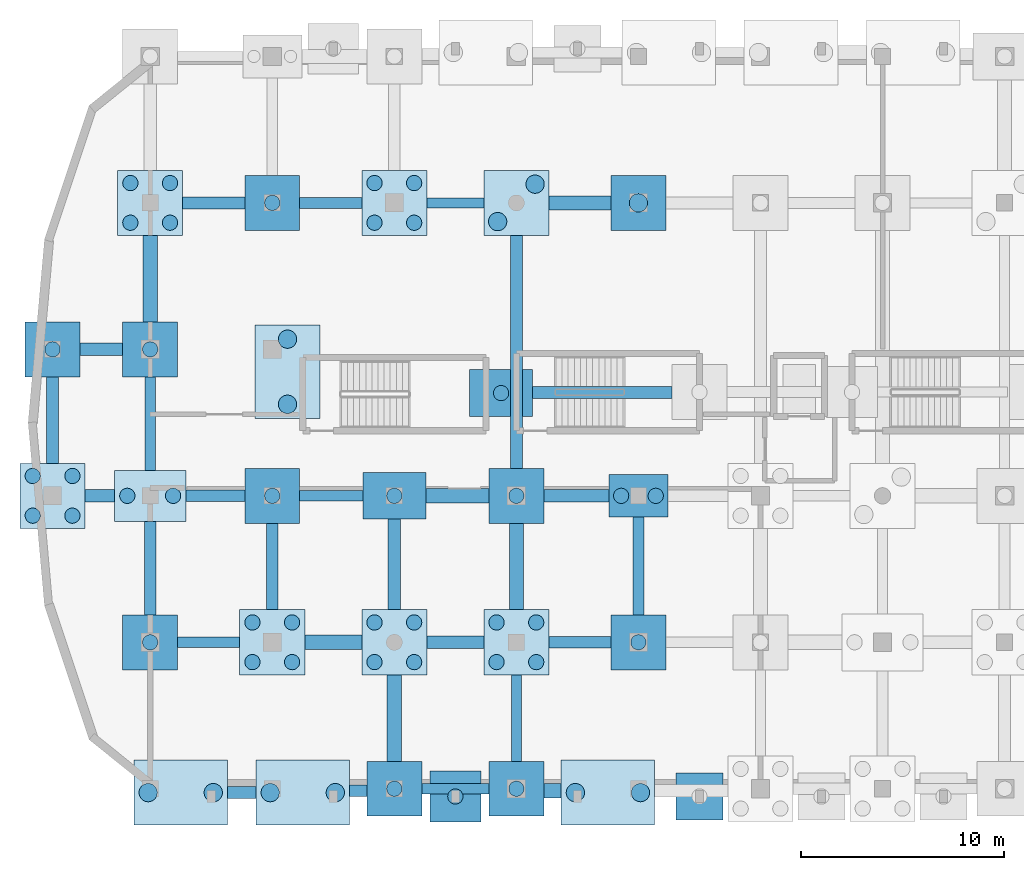
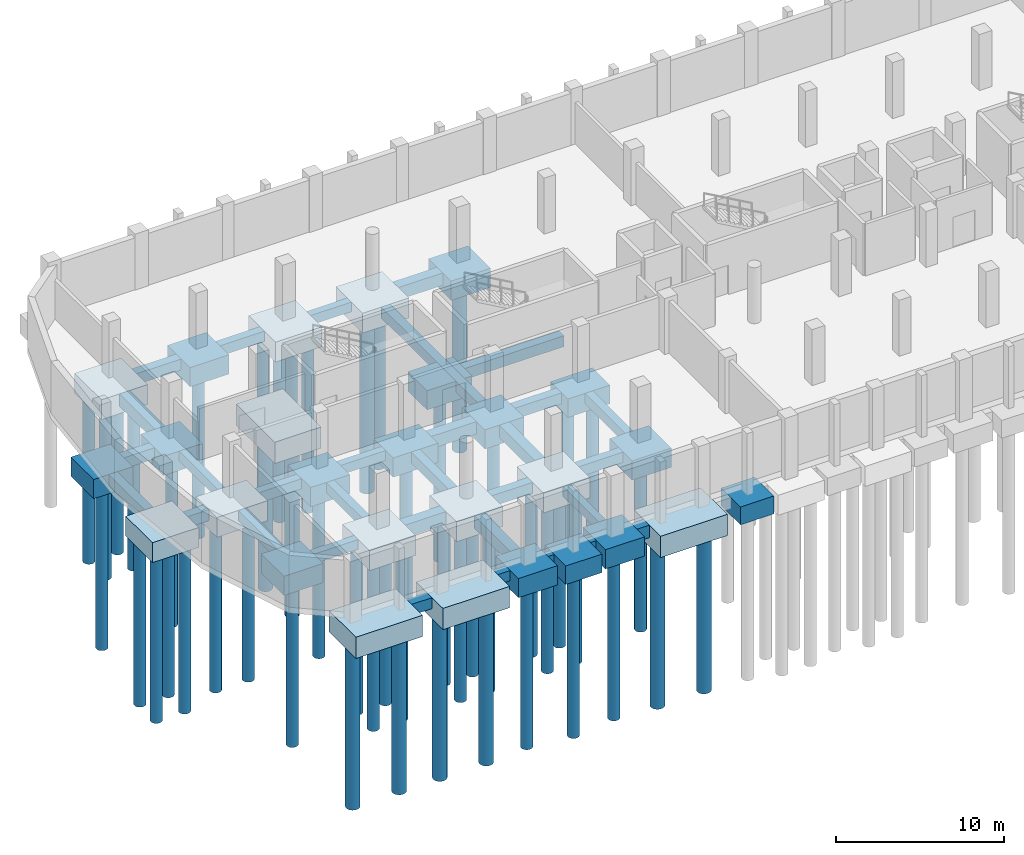
# One storey, part 1 of 11: 57 footings, 51 piles.
"""IFC4 building model written with IfcOpenShell, lengths in metres."""

from ifc_helpers import new_model, si_unit, direction, frame, origin, origin_2d, place, context, subcontext, project, spatial, rectangle, circle, extrude, material, material_profile, profile_set, type_object, element, save


model = new_model("IFC4")

# Units and contexts
model_context = context("Model", 3, precision=1e-05, world=origin(), true_north=direction((0.0, 1.0)))
body_context = subcontext(model_context, "Body", "Model", "MODEL_VIEW")
ifc_project = project(units=[si_unit("LENGTHUNIT", "METRE"), si_unit("AREAUNIT", "SQUARE_METRE"), si_unit("VOLUMEUNIT", "CUBIC_METRE"), si_unit("PLANEANGLEUNIT", "RADIAN"), si_unit("MASSUNIT", "GRAM", prefix="KILO")], contexts=[model_context])

# Site, building, storey
site_placement = place(None, origin())
site = spatial("IfcSite", under=ifc_project, at=site_placement, CompositionType="ELEMENT")
building_placement = place(site_placement, origin())
building = spatial("IfcBuilding", under=site, at=building_placement, Name="Dunvalen Ferry Terminal", CompositionType="ELEMENT")
storey_placement = place(building_placement, frame((0.0, 0.0, -4.080078125)))
storey = spatial("IfcBuildingStorey", under=building, at=storey_placement, Name="B1", CompositionType="ELEMENT", Elevation=-4.080078125)

# Footings
ifc_material = material(Name="Concrete C40/50", Category="concrete")
ifc_material_profile_1 = material_profile(ifc_material, rectangle(XDim=0.5, YDim=0.699951171875, at=origin_2d()), Name="Concrete C40/50")
ifc_profile_set_1 = profile_set([ifc_material_profile_1], Name="Concrete C40/50")
footing_type_1 = type_object("IfcFootingType", Name="STR-GB-500x700", PredefinedType="FOOTING_BEAM", material=ifc_profile_set_1)
footing_1_placement = place(storey_placement, frame((19.35009765625, 0.0, -0.77001953125), z_axis=(1.0, 0.0, 0.0), x_axis=(0.0, 1.0, 0.0)))
element("IfcFooting", 1, at=footing_1_placement, inside=storey, type_object=footing_type_1, Name="B1 Ground Beam X-003", PredefinedType="FOOTING_BEAM", context=body_context, shape_type="SweptSolid", body=[
    extrude(rectangle(XDim=0.5, YDim=0.699951171875, at=origin_2d()), origin(), (0.0, 0.0, 1.0), 3.2998046875),
])
footing_2_placement = place(storey_placement, frame((7.35009765625, 7.199951171875, -0.77001953125), z_axis=(1.0, 0.0, 0.0), x_axis=(0.0, 1.0, 0.0)))
element("IfcFooting", 2, at=footing_2_placement, inside=storey, type_object=footing_type_1, Name="B1 Ground Beam X-015", PredefinedType="FOOTING_BEAM", context=body_context, shape_type="SweptSolid", body=[
    extrude(rectangle(XDim=0.5, YDim=0.699951171875, at=origin_2d()), origin(), (0.0, 0.0, 1.0), 3.0498046875),
])
footing_3_placement = place(storey_placement, frame((13.35009765625, 14.39990234375, -0.77001953125), z_axis=(1.0, 0.0, 0.0), x_axis=(0.0, 1.0, 0.0)))
element("IfcFooting", 3, at=footing_3_placement, inside=storey, type_object=footing_type_1, Name="B1 Ground Beam X-031", PredefinedType="FOOTING_BEAM", context=body_context, shape_type="SweptSolid", body=[
    extrude(rectangle(XDim=0.5, YDim=0.699951171875, at=origin_2d()), origin(), (0.0, 0.0, 1.0), 3.099853515625),
])
footing_4_placement = place(storey_placement, frame((19.60009765625, 28.800048828125, -0.77001953125), z_axis=(1.0, 0.0, 0.0), x_axis=(0.0, 1.0, 0.0)))
element("IfcFooting", 4, at=footing_4_placement, inside=storey, type_object=footing_type_1, Name="B1 Ground Beam X-055", PredefinedType="FOOTING_BEAM", context=body_context, shape_type="SweptSolid", body=[
    extrude(rectangle(XDim=0.5, YDim=0.699951171875, at=origin_2d()), origin(), (0.0, 0.0, 1.0), 2.7998046875),
])
footing_5_placement = place(storey_placement, frame((6.0, 15.64990234375, -0.77001953125), z_axis=(0.0, 1.0, 0.0), x_axis=(-1.0, 0.0, 0.0)))
element("IfcFooting", 5, at=footing_5_placement, inside=storey, type_object=footing_type_1, Name="B1 Ground Beam Y-083", PredefinedType="FOOTING_BEAM", context=body_context, shape_type="SweptSolid", body=[
    extrude(rectangle(XDim=0.5, YDim=0.699951171875, at=origin_2d()), origin(), (0.0, 0.0, 1.0), 4.60009765625),
])
footing_6_placement = place(storey_placement, frame((24.0, 1.35009765625, -0.77001953125), z_axis=(0.0, 1.0, 0.0), x_axis=(-1.0, 0.0, 0.0)))
element("IfcFooting", 6, at=footing_6_placement, inside=storey, type_object=footing_type_1, Name="B1 Ground Beam Y-091", PredefinedType="FOOTING_BEAM", context=body_context, shape_type="SweptSolid", body=[
    extrude(rectangle(XDim=0.5, YDim=0.699951171875, at=origin_2d()), origin(), (0.0, 0.0, 1.0), 4.25),
])
ifc_material_profile_2 = material_profile(ifc_material, rectangle(XDim=0.550048828125, YDim=0.75, at=origin_2d()), Name="Concrete C40/50")
ifc_profile_set_2 = profile_set([ifc_material_profile_2], Name="Concrete C40/50")
footing_type_2 = type_object("IfcFootingType", Name="STR-GB-550x750", PredefinedType="FOOTING_BEAM", material=ifc_profile_set_2)
footing_7_placement = place(storey_placement, frame((15.800048828125, -0.094970703125, -0.794921875), z_axis=(1.0, 0.0, 0.0), x_axis=(0.0, 1.0, 0.0)))
element("IfcFooting", 7, at=footing_7_placement, inside=storey, type_object=footing_type_2, Name="B1 Ground Beam X-002", PredefinedType="FOOTING_BEAM", context=body_context, shape_type="SweptSolid", body=[
    extrude(rectangle(XDim=0.550048828125, YDim=0.75, at=origin_2d()), origin(), (0.0, 0.0, 1.0), 0.849853515625),
])
footing_8_placement = place(storey_placement, frame((25.60009765625, 7.199951171875, -0.794921875), z_axis=(1.0, 0.0, 0.0), x_axis=(0.0, 1.0, 0.0)))
element("IfcFooting", 8, at=footing_8_placement, inside=storey, type_object=footing_type_2, Name="B1 Ground Beam X-018", PredefinedType="FOOTING_BEAM", context=body_context, shape_type="SweptSolid", body=[
    extrude(rectangle(XDim=0.550048828125, YDim=0.75, at=origin_2d()), origin(), (0.0, 0.0, 1.0), 3.0498046875),
])
footing_9_placement = place(storey_placement, frame((7.75, 14.39990234375, -0.794921875), z_axis=(1.0, 0.0, 0.0), x_axis=(0.0, 1.0, 0.0)))
element("IfcFooting", 9, at=footing_9_placement, inside=storey, type_object=footing_type_2, Name="B1 Ground Beam X-030", PredefinedType="FOOTING_BEAM", context=body_context, shape_type="SweptSolid", body=[
    extrude(rectangle(XDim=0.550048828125, YDim=0.75, at=origin_2d()), origin(), (0.0, 0.0, 1.0), 2.89990234375),
])
footing_10_placement = place(storey_placement, frame((13.35009765625, 28.800048828125, -0.794921875), z_axis=(1.0, 0.0, 0.0), x_axis=(0.0, 1.0, 0.0)))
element("IfcFooting", 10, at=footing_10_placement, inside=storey, type_object=footing_type_2, Name="B1 Ground Beam X-054", PredefinedType="FOOTING_BEAM", context=body_context, shape_type="SweptSolid", body=[
    extrude(rectangle(XDim=0.550048828125, YDim=0.75, at=origin_2d()), origin(), (0.0, 0.0, 1.0), 3.0498046875),
])
footing_11_placement = place(storey_placement, frame((6.0, 8.550048828125, -0.794921875), z_axis=(0.0, 1.0, 0.0), x_axis=(-1.0, 0.0, 0.0)))
element("IfcFooting", 11, at=footing_11_placement, inside=storey, type_object=footing_type_2, Name="B1 Ground Beam Y-082", PredefinedType="FOOTING_BEAM", context=body_context, shape_type="SweptSolid", body=[
    extrude(rectangle(XDim=0.550048828125, YDim=0.75, at=origin_2d()), origin(), (0.0, 0.0, 1.0), 4.599853515625),
])
footing_12_placement = place(storey_placement, frame((12.0, 8.800048828125, -0.794921875), z_axis=(0.0, 1.0, 0.0), x_axis=(-1.0, 0.0, 0.0)))
element("IfcFooting", 12, at=footing_12_placement, inside=storey, type_object=footing_type_2, Name="B1 Ground Beam Y-086", PredefinedType="FOOTING_BEAM", context=body_context, shape_type="SweptSolid", body=[
    extrude(rectangle(XDim=0.550048828125, YDim=0.75, at=origin_2d()), origin(), (0.0, 0.0, 1.0), 4.25),
])
footing_13_placement = place(storey_placement, frame((30.0, 8.550048828125, -0.794921875), z_axis=(0.0, 1.0, 0.0), x_axis=(-1.0, 0.0, 0.0)))
element("IfcFooting", 13, at=footing_13_placement, inside=storey, type_object=footing_type_2, Name="B1 Ground Beam Y-094", PredefinedType="FOOTING_BEAM", context=body_context, shape_type="SweptSolid", body=[
    extrude(rectangle(XDim=0.550048828125, YDim=0.75, at=origin_2d()), origin(), (0.0, 0.0, 1.0), 4.800048828125),
])
ifc_material_profile_3 = material_profile(ifc_material, rectangle(XDim=0.60009765625, YDim=0.800048828125, at=origin_2d()), Name="Concrete C40/50")
ifc_profile_set_3 = profile_set([ifc_material_profile_3], Name="Concrete C40/50")
footing_type_3 = type_object("IfcFootingType", Name="STR-GB-600x800", PredefinedType="FOOTING_BEAM", material=ifc_profile_set_3)
footing_14_placement = place(storey_placement, frame((9.800048828125, -0.18994140625, -0.81982421875), z_axis=(1.0, 0.0, 0.0), x_axis=(0.0, 1.0, 0.0)))
element("IfcFooting", 14, at=footing_14_placement, inside=storey, type_object=footing_type_3, Name="B1 Ground Beam X-001", PredefinedType="FOOTING_BEAM", context=body_context, shape_type="SweptSolid", body=[
    extrude(rectangle(XDim=0.60009765625, YDim=0.800048828125, at=origin_2d()), origin(), (0.0, 0.0, 1.0), 1.39990234375),
])
footing_15_placement = place(storey_placement, frame((19.60009765625, 7.199951171875, -0.81982421875), z_axis=(1.0, 0.0, 0.0), x_axis=(0.0, 1.0, 0.0)))
element("IfcFooting", 15, at=footing_15_placement, inside=storey, type_object=footing_type_3, Name="B1 Ground Beam X-017", PredefinedType="FOOTING_BEAM", context=body_context, shape_type="SweptSolid", body=[
    extrude(rectangle(XDim=0.60009765625, YDim=0.800048828125, at=origin_2d()), origin(), (0.0, 0.0, 1.0), 2.7998046875),
])
footing_16_placement = place(storey_placement, frame((2.800048828125, 14.39990234375, -0.81982421875), z_axis=(1.0, 0.0, 0.0), x_axis=(0.0, 1.0, 0.0)))
element("IfcFooting", 16, at=footing_16_placement, inside=storey, type_object=footing_type_3, Name="B1 Ground Beam X-029", PredefinedType="FOOTING_BEAM", context=body_context, shape_type="SweptSolid", body=[
    extrude(rectangle(XDim=0.60009765625, YDim=0.800048828125, at=origin_2d()), origin(), (0.0, 0.0, 1.0), 1.449951171875),
])
footing_17_placement = place(storey_placement, frame((25.35009765625, 14.39990234375, -0.81982421875), z_axis=(1.0, 0.0, 0.0), x_axis=(0.0, 1.0, 0.0)))
element("IfcFooting", 17, at=footing_17_placement, inside=storey, type_object=footing_type_3, Name="B1 Ground Beam X-033", PredefinedType="FOOTING_BEAM", context=body_context, shape_type="SweptSolid", body=[
    extrude(rectangle(XDim=0.60009765625, YDim=0.800048828125, at=origin_2d()), origin(), (0.0, 0.0, 1.0), 3.199951171875),
])
footing_18_placement = place(storey_placement, frame((24.800048828125, 19.47509765625, -0.81982421875), z_axis=(1.0, 0.0, 0.0), x_axis=(0.0, 1.0, 0.0)))
element("IfcFooting", 18, at=footing_18_placement, inside=storey, type_object=footing_type_3, Name="B1 Ground Beam X-045", PredefinedType="FOOTING_BEAM", context=body_context, shape_type="SweptSolid", body=[
    extrude(rectangle(XDim=0.60009765625, YDim=0.800048828125, at=origin_2d()), origin(), (0.0, 0.0, 1.0), 6.849853515625),
])
footing_19_placement = place(storey_placement, frame((2.550048828125, 21.60009765625, -0.81982421875), z_axis=(1.0, 0.0, 0.0), x_axis=(0.0, 1.0, 0.0)))
element("IfcFooting", 19, at=footing_19_placement, inside=storey, type_object=footing_type_3, Name="B1 Ground Beam X-049", PredefinedType="FOOTING_BEAM", context=body_context, shape_type="SweptSolid", body=[
    extrude(rectangle(XDim=0.60009765625, YDim=0.800048828125, at=origin_2d()), origin(), (0.0, 0.0, 1.0), 2.099853515625),
])
footing_20_placement = place(storey_placement, frame((7.60009765625, 28.800048828125, -0.81982421875), z_axis=(1.0, 0.0, 0.0), x_axis=(0.0, 1.0, 0.0)))
element("IfcFooting", 20, at=footing_20_placement, inside=storey, type_object=footing_type_3, Name="B1 Ground Beam X-053", PredefinedType="FOOTING_BEAM", context=body_context, shape_type="SweptSolid", body=[
    extrude(rectangle(XDim=0.60009765625, YDim=0.800048828125, at=origin_2d()), origin(), (0.0, 0.0, 1.0), 3.0498046875),
])
footing_21_placement = place(storey_placement, frame((1.199951171875, 16.0, -0.81982421875), z_axis=(0.0, 1.0, 0.0), x_axis=(-1.0, 0.0, 0.0)))
element("IfcFooting", 21, at=footing_21_placement, inside=storey, type_object=footing_type_3, Name="B1 Ground Beam Y-081", PredefinedType="FOOTING_BEAM", context=body_context, shape_type="SweptSolid", body=[
    extrude(rectangle(XDim=0.60009765625, YDim=0.800048828125, at=origin_2d()), origin(), (0.0, 0.0, 1.0), 4.25),
])
footing_22_placement = place(storey_placement, frame((18.0, 8.800048828125, -0.81982421875), z_axis=(0.0, 1.0, 0.0), x_axis=(-1.0, 0.0, 0.0)))
element("IfcFooting", 22, at=footing_22_placement, inside=storey, type_object=footing_type_3, Name="B1 Ground Beam Y-089", PredefinedType="FOOTING_BEAM", context=body_context, shape_type="SweptSolid", body=[
    extrude(rectangle(XDim=0.60009765625, YDim=0.800048828125, at=origin_2d()), origin(), (0.0, 0.0, 1.0), 4.449951171875),
])
footing_23_placement = place(storey_placement, frame((24.0, 15.75, -0.81982421875), z_axis=(0.0, 1.0, 0.0), x_axis=(-1.0, 0.0, 0.0)))
element("IfcFooting", 23, at=footing_23_placement, inside=storey, type_object=footing_type_3, Name="B1 Ground Beam Y-093", PredefinedType="FOOTING_BEAM", context=body_context, shape_type="SweptSolid", body=[
    extrude(rectangle(XDim=0.60009765625, YDim=0.800048828125, at=origin_2d()), origin(), (0.0, 0.0, 1.0), 11.449951171875),
])
ifc_material_profile_4 = material_profile(ifc_material, rectangle(XDim=0.699951171875, YDim=0.89990234375, at=origin_2d()), Name="Concrete C40/50")
ifc_profile_set_4 = profile_set([ifc_material_profile_4], Name="Concrete C40/50")
footing_type_4 = type_object("IfcFootingType", Name="STR-GB-700x900", PredefinedType="FOOTING_BEAM", material=ifc_profile_set_4)
footing_24_placement = place(storey_placement, frame((25.35009765625, -0.094970703125, -0.869873046875), z_axis=(1.0, 0.0, 0.0), x_axis=(0.0, 1.0, 0.0)))
element("IfcFooting", 24, at=footing_24_placement, inside=storey, type_object=footing_type_4, Name="B1 Ground Beam X-004", PredefinedType="FOOTING_BEAM", context=body_context, shape_type="SweptSolid", body=[
    extrude(rectangle(XDim=0.699951171875, YDim=0.89990234375, at=origin_2d()), origin(), (0.0, 0.0, 1.0), 0.849853515625),
])
footing_25_placement = place(storey_placement, frame((13.60009765625, 7.199951171875, -0.869873046875), z_axis=(1.0, 0.0, 0.0), x_axis=(0.0, 1.0, 0.0)))
element("IfcFooting", 25, at=footing_25_placement, inside=storey, type_object=footing_type_4, Name="B1 Ground Beam X-016", PredefinedType="FOOTING_BEAM", context=body_context, shape_type="SweptSolid", body=[
    extrude(rectangle(XDim=0.699951171875, YDim=0.89990234375, at=origin_2d()), origin(), (0.0, 0.0, 1.0), 2.7998046875),
])
footing_26_placement = place(storey_placement, frame((19.550048828125, 14.39990234375, -0.869873046875), z_axis=(1.0, 0.0, 0.0), x_axis=(0.0, 1.0, 0.0)))
element("IfcFooting", 26, at=footing_26_placement, inside=storey, type_object=footing_type_4, Name="B1 Ground Beam X-032", PredefinedType="FOOTING_BEAM", context=body_context, shape_type="SweptSolid", body=[
    extrude(rectangle(XDim=0.699951171875, YDim=0.89990234375, at=origin_2d()), origin(), (0.0, 0.0, 1.0), 3.099853515625),
])
footing_27_placement = place(storey_placement, frame((25.60009765625, 28.800048828125, -0.869873046875), z_axis=(1.0, 0.0, 0.0), x_axis=(0.0, 1.0, 0.0)))
element("IfcFooting", 27, at=footing_27_placement, inside=storey, type_object=footing_type_4, Name="B1 Ground Beam X-056", PredefinedType="FOOTING_BEAM", context=body_context, shape_type="SweptSolid", body=[
    extrude(rectangle(XDim=0.699951171875, YDim=0.89990234375, at=origin_2d()), origin(), (0.0, 0.0, 1.0), 3.0498046875),
])
for number, where, z_axis, x_axis, name in (
    (28, (6.0, 22.949951171875, -0.869873046875), (0.0, 1.0, 0.0), (-1.0, 0.0, 0.0), "B1 Ground Beam Y-084"),
    (29, (18.0, 1.35009765625, -0.869873046875), (0.0, 1.0, 0.0), (-1.0, 0.0, 0.0), "B1 Ground Beam Y-088"),
    (30, (24.0, 8.800048828125, -0.869873046875), (0.0, 1.0, 0.0), (-1.0, 0.0, 0.0), "B1 Ground Beam Y-092"),
):
    element("IfcFooting", number, at=place(storey_placement, frame(where, z_axis=z_axis, x_axis=x_axis)), inside=storey, type_object=footing_type_4, Name=name, PredefinedType="FOOTING_BEAM", context=body_context, shape_type="SweptSolid", body=[
        extrude(rectangle(XDim=0.699951171875, YDim=0.89990234375, at=origin_2d()), origin(), (0.0, 0.0, 1.0), 4.25),
    ])
footing_type_5 = type_object("IfcFootingType", Name="STR-PC-04", PredefinedType="PILE_CAP", material=ifc_material)
footing_28_placement = place(storey_placement, frame((33.0, -0.3798828125, -1.7197265625), z_axis=(0.0, 0.0, 1.0), x_axis=(1.0, 0.0, 0.0)))
element("IfcFooting", 31, at=footing_28_placement, inside=storey, type_object=footing_type_5, Name="B1 Pile Cap 034", PredefinedType="PILE_CAP", context=body_context, shape_type="SweptSolid", body=[
    extrude(rectangle(XDim=2.300048828125, YDim=2.300048828125, at=origin_2d()), origin(), (0.0, 0.0, 1.0), 1.300048828125),
])
footing_type_6 = type_object("IfcFootingType", Name="STR-PC-05", PredefinedType="PILE_CAP", material=ifc_material)
footing_29_placement = place(storey_placement, frame((21.0, -0.3798828125, -1.77001953125), z_axis=(0.0, 0.0, 1.0), x_axis=(1.0, 0.0, 0.0)))
element("IfcFooting", 32, at=footing_29_placement, inside=storey, type_object=footing_type_6, Name="B1 Pile Cap 021", PredefinedType="PILE_CAP", context=body_context, shape_type="SweptSolid", body=[
    extrude(rectangle(XDim=2.5, YDim=2.5, at=origin_2d()), origin(), (0.0, 0.0, 1.0), 1.35009765625),
])
footing_type_7 = type_object("IfcFootingType", Name="STR-PC-06", PredefinedType="PILE_CAP", material=ifc_material)
for number, where, z_axis, x_axis, name in (
    (33, (1.199951171875, 21.60009765625, -1.81982421875), (0.0, 0.0, 1.0), (1.0, 0.0, 0.0), "B1 Pile Cap 002"),
    (34, (6.0, 7.199951171875, -1.81982421875), (0.0, 0.0, 1.0), (1.0, 0.0, 0.0), "B1 Pile Cap 004"),
    (35, (6.0, 21.60009765625, -1.81982421875), (0.0, 0.0, 1.0), (1.0, 0.0, 0.0), "B1 Pile Cap 006"),
    (36, (12.0, 14.39990234375, -1.81982421875), (0.0, 0.0, 1.0), (1.0, 0.0, 0.0), "B1 Pile Cap 011"),
    (37, (12.0, 28.800048828125, -1.81982421875), (0.0, 0.0, 1.0), (1.0, 0.0, 0.0), "B1 Pile Cap 013"),
    (38, (18.0, 0.0, -1.81982421875), (0.0, 0.0, 1.0), (1.0, 0.0, 0.0), "B1 Pile Cap 016"),
    (39, (24.0, 0.0, -1.81982421875), (0.0, 0.0, 1.0), (1.0, 0.0, 0.0), "B1 Pile Cap 024"),
    (40, (24.0, 14.39990234375, -1.81982421875), (0.0, 0.0, 1.0), (1.0, 0.0, 0.0), "B1 Pile Cap 026"),
    (41, (30.0, 7.199951171875, -1.81982421875), (0.0, 0.0, 1.0), (1.0, 0.0, 0.0), "B1 Pile Cap 030"),
    (42, (30.0, 28.800048828125, -1.81982421875), (0.0, 0.0, 1.0), (1.0, 0.0, 0.0), "B1 Pile Cap 032"),
):
    element("IfcFooting", number, at=place(storey_placement, frame(where, z_axis=z_axis, x_axis=x_axis)), inside=storey, type_object=footing_type_7, Name=name, PredefinedType="PILE_CAP", context=body_context, shape_type="SweptSolid", body=[
        extrude(rectangle(XDim=2.699951171875, YDim=2.699951171875, at=origin_2d()), origin(), (0.0, 0.0, 1.0), 1.39990234375),
    ])
footing_type_8 = type_object("IfcFootingType", Name="STR-PC-07", PredefinedType="PILE_CAP", material=ifc_material)
footing_30_placement = place(storey_placement, frame((30.0, 14.39990234375, -1.77001953125), z_axis=(0.0, 0.0, 1.0), x_axis=(1.0, 0.0, 0.0)))
element("IfcFooting", 43, at=footing_30_placement, inside=storey, type_object=footing_type_8, Name="B1 Pile Cap 031", PredefinedType="PILE_CAP", context=body_context, shape_type="SweptSolid", body=[
    extrude(rectangle(XDim=2.89990234375, YDim=2.10009765625, at=origin_2d()), origin(), (0.0, 0.0, 1.0), 1.35009765625),
])
footing_type_9 = type_object("IfcFootingType", Name="STR-PC-08", PredefinedType="PILE_CAP", material=ifc_material)
for number, where, z_axis, x_axis, name in (
    (44, (18.0, 14.39990234375, -1.81982421875), (0.0, 0.0, 1.0), (1.0, 0.0, 0.0), "B1 Pile Cap 018"),
    (45, (23.25, 19.449951171875, -1.81982421875), (0.0, 0.0, 1.0), (1.0, 0.0, 0.0), "B1 Pile Cap 023"),
):
    element("IfcFooting", number, at=place(storey_placement, frame(where, z_axis=z_axis, x_axis=x_axis)), inside=storey, type_object=footing_type_9, Name=name, PredefinedType="PILE_CAP", context=body_context, shape_type="SweptSolid", body=[
        extrude(rectangle(XDim=3.10009765625, YDim=2.300048828125, at=origin_2d()), origin(), (0.0, 0.0, 1.0), 1.39990234375),
    ])
footing_type_10 = type_object("IfcFootingType", Name="STR-PC-09", PredefinedType="PILE_CAP", material=ifc_material)
for number, where, z_axis, x_axis, name in (
    (46, (1.199951171875, 14.39990234375, -1.8701171875), (0.0, 0.0, 1.0), (1.0, 0.0, 0.0), "B1 Pile Cap 001"),
    (47, (6.0, 28.800048828125, -1.8701171875), (0.0, 0.0, 1.0), (1.0, 0.0, 0.0), "B1 Pile Cap 007"),
    (48, (12.0, 7.199951171875, -1.8701171875), (0.0, 0.0, 1.0), (1.0, 0.0, 0.0), "B1 Pile Cap 010"),
    (49, (18.0, 7.199951171875, -1.8701171875), (0.0, 0.0, 1.0), (1.0, 0.0, 0.0), "B1 Pile Cap 017"),
    (50, (18.0, 28.800048828125, -1.8701171875), (0.0, 0.0, 1.0), (1.0, 0.0, 0.0), "B1 Pile Cap 019"),
    (51, (24.0, 7.199951171875, -1.8701171875), (0.0, 0.0, 1.0), (1.0, 0.0, 0.0), "B1 Pile Cap 025"),
    (52, (24.0, 28.800048828125, -1.8701171875), (0.0, 0.0, 1.0), (1.0, 0.0, 0.0), "B1 Pile Cap 027"),
):
    element("IfcFooting", number, at=place(storey_placement, frame(where, z_axis=z_axis, x_axis=x_axis)), inside=storey, type_object=footing_type_10, Name=name, PredefinedType="PILE_CAP", context=body_context, shape_type="SweptSolid", body=[
        extrude(rectangle(XDim=3.199951171875, YDim=3.199951171875, at=origin_2d()), origin(), (0.0, 0.0, 1.0), 1.449951171875),
    ])
footing_type_11 = type_object("IfcFootingType", Name="STR-PC-10", PredefinedType="PILE_CAP", material=ifc_material)
footing_31_placement = place(storey_placement, frame((6.0, 14.39990234375, -1.8701171875), z_axis=(0.0, 0.0, 1.0), x_axis=(1.0, 0.0, 0.0)))
element("IfcFooting", 53, at=footing_31_placement, inside=storey, type_object=footing_type_11, Name="B1 Pile Cap 005", PredefinedType="PILE_CAP", context=body_context, shape_type="SweptSolid", body=[
    extrude(rectangle(XDim=3.5, YDim=2.5, at=origin_2d()), origin(), (0.0, 0.0, 1.0), 1.449951171875),
])
footing_type_12 = type_object("IfcFootingType", Name="STR-PC-14", PredefinedType="PILE_CAP", material=ifc_material)
for number, where, z_axis, x_axis, name in (
    (54, (7.5, -0.18994140625, -1.9697265625), (0.0, 0.0, 1.0), (1.0, 0.0, 0.0), "B1 Pile Cap 003"),
    (55, (13.5, -0.18994140625, -1.9697265625), (0.0, 0.0, 1.0), (1.0, 0.0, 0.0), "B1 Pile Cap 009"),
    (56, (12.75, 20.5, -1.9697265625), (0.0, 0.0, 1.0), (0.0, 1.0, 0.0), "B1 Pile Cap 012"),
    (57, (28.5, -0.18994140625, -1.9697265625), (0.0, 0.0, 1.0), (1.0, 0.0, 0.0), "B1 Pile Cap 028"),
):
    element("IfcFooting", number, at=place(storey_placement, frame(where, z_axis=z_axis, x_axis=x_axis)), inside=storey, type_object=footing_type_12, Name=name, PredefinedType="PILE_CAP", context=body_context, shape_type="SweptSolid", body=[
        extrude(rectangle(XDim=4.60009765625, YDim=3.199951171875, at=origin_2d()), origin(), (0.0, 0.0, 1.0), 1.550048828125),
    ])

# Piles
ifc_material_profile_5 = material_profile(ifc_material, circle(Radius=0.375, at=origin_2d()), Name="Concrete C40/50")
ifc_profile_set_5 = profile_set([ifc_material_profile_5], Name="Concrete C40/50")
pile_type_1 = type_object("IfcPileType", Name="STR-PILE-P750", PredefinedType="BORED", material=ifc_profile_set_5)
for number, where, z_axis, x_axis, name in (
    (58, (0.22509765625, 13.425048828125, -1.77001953125), (0.0, 0.0, -1.0), (1.0, 0.0, 0.0), "B1 Bored Pile 001.1"),
    (59, (2.175048828125, 13.425048828125, -1.77001953125), (0.0, 0.0, -1.0), (1.0, 0.0, 0.0), "B1 Bored Pile 001.2"),
    (60, (0.22509765625, 15.375, -1.77001953125), (0.0, 0.0, -1.0), (1.0, 0.0, 0.0), "B1 Bored Pile 001.3"),
    (61, (2.175048828125, 15.375, -1.77001953125), (0.0, 0.0, -1.0), (1.0, 0.0, 0.0), "B1 Bored Pile 001.4"),
):
    element("IfcPile", number, at=place(storey_placement, frame(where, z_axis=z_axis, x_axis=x_axis)), inside=storey, type_object=pile_type_1, Name=name, PredefinedType="BORED", context=body_context, shape_type="SweptSolid", body=[
        extrude(circle(Radius=0.375, at=origin_2d()), origin(), (0.0, 0.0, 1.0), 12.14990234375),
    ])
for number, where, z_axis, x_axis, name in (
    (62, (1.199951171875, 21.60009765625, -1.719970703125), (0.0, 0.0, -1.0), (1.0, 0.0, 0.0), "B1 Bored Pile 002.1"),
    (63, (6.0, 7.199951171875, -1.719970703125), (0.0, 0.0, -1.0), (1.0, 0.0, 0.0), "B1 Bored Pile 004.1"),
):
    element("IfcPile", number, at=place(storey_placement, frame(where, z_axis=z_axis, x_axis=x_axis)), inside=storey, type_object=pile_type_1, Name=name, PredefinedType="BORED", context=body_context, shape_type="SweptSolid", body=[
        extrude(circle(Radius=0.375, at=origin_2d()), origin(), (0.0, 0.0, 1.0), 12.199951171875),
    ])
for number, where, z_axis, x_axis, name in (
    (64, (4.875, 14.39990234375, -1.77001953125), (0.0, 0.0, -1.0), (1.0, 0.0, 0.0), "B1 Bored Pile 005.1"),
    (65, (7.125, 14.39990234375, -1.77001953125), (0.0, 0.0, -1.0), (1.0, 0.0, 0.0), "B1 Bored Pile 005.2"),
):
    element("IfcPile", number, at=place(storey_placement, frame(where, z_axis=z_axis, x_axis=x_axis)), inside=storey, type_object=pile_type_1, Name=name, PredefinedType="BORED", context=body_context, shape_type="SweptSolid", body=[
        extrude(circle(Radius=0.375, at=origin_2d()), origin(), (0.0, 0.0, 1.0), 12.14990234375),
    ])
pile_1_placement = place(storey_placement, frame((6.0, 21.60009765625, -1.719970703125), z_axis=(0.0, 0.0, -1.0), x_axis=(1.0, 0.0, 0.0)))
element("IfcPile", 66, at=pile_1_placement, inside=storey, type_object=pile_type_1, Name="B1 Bored Pile 006.1", PredefinedType="BORED", context=body_context, shape_type="SweptSolid", body=[
    extrude(circle(Radius=0.375, at=origin_2d()), origin(), (0.0, 0.0, 1.0), 12.199951171875),
])
for number, where, z_axis, x_axis, name in (
    (67, (5.02490234375, 27.824951171875, -1.77001953125), (0.0, 0.0, -1.0), (1.0, 0.0, 0.0), "B1 Bored Pile 007.1"),
    (68, (6.97509765625, 27.824951171875, -1.77001953125), (0.0, 0.0, -1.0), (1.0, 0.0, 0.0), "B1 Bored Pile 007.2"),
    (69, (5.02490234375, 29.77490234375, -1.77001953125), (0.0, 0.0, -1.0), (1.0, 0.0, 0.0), "B1 Bored Pile 007.3"),
    (70, (6.97509765625, 29.77490234375, -1.77001953125), (0.0, 0.0, -1.0), (1.0, 0.0, 0.0), "B1 Bored Pile 007.4"),
    (71, (11.02490234375, 6.22509765625, -1.77001953125), (0.0, 0.0, -1.0), (1.0, 0.0, 0.0), "B1 Bored Pile 010.1"),
    (72, (12.97509765625, 6.22509765625, -1.77001953125), (0.0, 0.0, -1.0), (1.0, 0.0, 0.0), "B1 Bored Pile 010.2"),
    (73, (11.02490234375, 8.175048828125, -1.77001953125), (0.0, 0.0, -1.0), (1.0, 0.0, 0.0), "B1 Bored Pile 010.3"),
    (74, (12.97509765625, 8.175048828125, -1.77001953125), (0.0, 0.0, -1.0), (1.0, 0.0, 0.0), "B1 Bored Pile 010.4"),
):
    element("IfcPile", number, at=place(storey_placement, frame(where, z_axis=z_axis, x_axis=x_axis)), inside=storey, type_object=pile_type_1, Name=name, PredefinedType="BORED", context=body_context, shape_type="SweptSolid", body=[
        extrude(circle(Radius=0.375, at=origin_2d()), origin(), (0.0, 0.0, 1.0), 12.14990234375),
    ])
for number, where, z_axis, x_axis, name in (
    (75, (12.0, 14.39990234375, -1.719970703125), (0.0, 0.0, -1.0), (1.0, 0.0, 0.0), "B1 Bored Pile 011.1"),
    (76, (12.0, 28.800048828125, -1.719970703125), (0.0, 0.0, -1.0), (1.0, 0.0, 0.0), "B1 Bored Pile 013.1"),
    (77, (18.0, 0.0, -1.719970703125), (0.0, 0.0, -1.0), (1.0, 0.0, 0.0), "B1 Bored Pile 016.1"),
):
    element("IfcPile", number, at=place(storey_placement, frame(where, z_axis=z_axis, x_axis=x_axis)), inside=storey, type_object=pile_type_1, Name=name, PredefinedType="BORED", context=body_context, shape_type="SweptSolid", body=[
        extrude(circle(Radius=0.375, at=origin_2d()), origin(), (0.0, 0.0, 1.0), 12.199951171875),
    ])
for number, where, z_axis, x_axis, name in (
    (78, (17.02490234375, 6.22509765625, -1.77001953125), (0.0, 0.0, -1.0), (1.0, 0.0, 0.0), "B1 Bored Pile 017.1"),
    (79, (18.97509765625, 6.22509765625, -1.77001953125), (0.0, 0.0, -1.0), (1.0, 0.0, 0.0), "B1 Bored Pile 017.2"),
    (80, (17.02490234375, 8.175048828125, -1.77001953125), (0.0, 0.0, -1.0), (1.0, 0.0, 0.0), "B1 Bored Pile 017.3"),
    (81, (18.97509765625, 8.175048828125, -1.77001953125), (0.0, 0.0, -1.0), (1.0, 0.0, 0.0), "B1 Bored Pile 017.4"),
):
    element("IfcPile", number, at=place(storey_placement, frame(where, z_axis=z_axis, x_axis=x_axis)), inside=storey, type_object=pile_type_1, Name=name, PredefinedType="BORED", context=body_context, shape_type="SweptSolid", body=[
        extrude(circle(Radius=0.375, at=origin_2d()), origin(), (0.0, 0.0, 1.0), 12.14990234375),
    ])
pile_2_placement = place(storey_placement, frame((18.0, 14.39990234375, -1.719970703125), z_axis=(0.0, 0.0, -1.0), x_axis=(1.0, 0.0, 0.0)))
element("IfcPile", 82, at=pile_2_placement, inside=storey, type_object=pile_type_1, Name="B1 Bored Pile 018.1", PredefinedType="BORED", context=body_context, shape_type="SweptSolid", body=[
    extrude(circle(Radius=0.375, at=origin_2d()), origin(), (0.0, 0.0, 1.0), 12.199951171875),
])
for number, where, z_axis, x_axis, name in (
    (83, (17.02490234375, 27.824951171875, -1.77001953125), (0.0, 0.0, -1.0), (1.0, 0.0, 0.0), "B1 Bored Pile 019.1"),
    (84, (18.97509765625, 27.824951171875, -1.77001953125), (0.0, 0.0, -1.0), (1.0, 0.0, 0.0), "B1 Bored Pile 019.2"),
    (85, (17.02490234375, 29.77490234375, -1.77001953125), (0.0, 0.0, -1.0), (1.0, 0.0, 0.0), "B1 Bored Pile 019.3"),
    (86, (18.97509765625, 29.77490234375, -1.77001953125), (0.0, 0.0, -1.0), (1.0, 0.0, 0.0), "B1 Bored Pile 019.4"),
):
    element("IfcPile", number, at=place(storey_placement, frame(where, z_axis=z_axis, x_axis=x_axis)), inside=storey, type_object=pile_type_1, Name=name, PredefinedType="BORED", context=body_context, shape_type="SweptSolid", body=[
        extrude(circle(Radius=0.375, at=origin_2d()), origin(), (0.0, 0.0, 1.0), 12.14990234375),
    ])
pile_3_placement = place(storey_placement, frame((21.0, -0.3798828125, -1.669921875), z_axis=(0.0, 0.0, -1.0), x_axis=(1.0, 0.0, 0.0)))
element("IfcPile", 87, at=pile_3_placement, inside=storey, type_object=pile_type_1, Name="B1 Bored Pile 021.1", PredefinedType="BORED", context=body_context, shape_type="SweptSolid", body=[
    extrude(circle(Radius=0.375, at=origin_2d()), origin(), (0.0, 0.0, 1.0), 12.25),
])
for number, where, z_axis, x_axis, name in (
    (88, (23.25, 19.449951171875, -1.719970703125), (0.0, 0.0, -1.0), (1.0, 0.0, 0.0), "B1 Bored Pile 023.1"),
    (89, (24.0, 0.0, -1.719970703125), (0.0, 0.0, -1.0), (1.0, 0.0, 0.0), "B1 Bored Pile 024.1"),
):
    element("IfcPile", number, at=place(storey_placement, frame(where, z_axis=z_axis, x_axis=x_axis)), inside=storey, type_object=pile_type_1, Name=name, PredefinedType="BORED", context=body_context, shape_type="SweptSolid", body=[
        extrude(circle(Radius=0.375, at=origin_2d()), origin(), (0.0, 0.0, 1.0), 12.199951171875),
    ])
for number, where, z_axis, x_axis, name in (
    (90, (23.02490234375, 6.22509765625, -1.77001953125), (0.0, 0.0, -1.0), (1.0, 0.0, 0.0), "B1 Bored Pile 025.1"),
    (91, (24.97509765625, 6.22509765625, -1.77001953125), (0.0, 0.0, -1.0), (1.0, 0.0, 0.0), "B1 Bored Pile 025.2"),
    (92, (23.02490234375, 8.175048828125, -1.77001953125), (0.0, 0.0, -1.0), (1.0, 0.0, 0.0), "B1 Bored Pile 025.3"),
    (93, (24.97509765625, 8.175048828125, -1.77001953125), (0.0, 0.0, -1.0), (1.0, 0.0, 0.0), "B1 Bored Pile 025.4"),
):
    element("IfcPile", number, at=place(storey_placement, frame(where, z_axis=z_axis, x_axis=x_axis)), inside=storey, type_object=pile_type_1, Name=name, PredefinedType="BORED", context=body_context, shape_type="SweptSolid", body=[
        extrude(circle(Radius=0.375, at=origin_2d()), origin(), (0.0, 0.0, 1.0), 12.14990234375),
    ])
for number, where, z_axis, x_axis, name in (
    (94, (24.0, 14.39990234375, -1.719970703125), (0.0, 0.0, -1.0), (1.0, 0.0, 0.0), "B1 Bored Pile 026.1"),
    (95, (30.0, 7.199951171875, -1.719970703125), (0.0, 0.0, -1.0), (1.0, 0.0, 0.0), "B1 Bored Pile 030.1"),
):
    element("IfcPile", number, at=place(storey_placement, frame(where, z_axis=z_axis, x_axis=x_axis)), inside=storey, type_object=pile_type_1, Name=name, PredefinedType="BORED", context=body_context, shape_type="SweptSolid", body=[
        extrude(circle(Radius=0.375, at=origin_2d()), origin(), (0.0, 0.0, 1.0), 12.199951171875),
    ])
for number, where, z_axis, x_axis, name in (
    (96, (29.14990234375, 14.39990234375, -1.669921875), (0.0, 0.0, -1.0), (1.0, 0.0, 0.0), "B1 Bored Pile 031.1"),
    (97, (30.85009765625, 14.39990234375, -1.669921875), (0.0, 0.0, -1.0), (1.0, 0.0, 0.0), "B1 Bored Pile 031.2"),
):
    element("IfcPile", number, at=place(storey_placement, frame(where, z_axis=z_axis, x_axis=x_axis)), inside=storey, type_object=pile_type_1, Name=name, PredefinedType="BORED", context=body_context, shape_type="SweptSolid", body=[
        extrude(circle(Radius=0.375, at=origin_2d()), origin(), (0.0, 0.0, 1.0), 12.25),
    ])
ifc_material_profile_6 = material_profile(ifc_material, circle(Radius=0.449951171875, at=origin_2d()), Name="Concrete C40/50")
ifc_profile_set_6 = profile_set([ifc_material_profile_6], Name="Concrete C40/50")
pile_type_2 = type_object("IfcPileType", Name="STR-PILE-P900", PredefinedType="BORED", material=ifc_profile_set_6)
for number, where, z_axis, x_axis, name in (
    (98, (5.89990234375, -0.18994140625, -1.869873046875), (0.0, 0.0, -1.0), (1.0, 0.0, 0.0), "B1 Bored Pile 003.1"),
    (99, (9.10009765625, -0.18994140625, -1.869873046875), (0.0, 0.0, -1.0), (1.0, 0.0, 0.0), "B1 Bored Pile 003.2"),
    (100, (11.89990234375, -0.18994140625, -1.869873046875), (0.0, 0.0, -1.0), (1.0, 0.0, 0.0), "B1 Bored Pile 009.1"),
    (101, (15.10009765625, -0.18994140625, -1.869873046875), (0.0, 0.0, -1.0), (1.0, 0.0, 0.0), "B1 Bored Pile 009.2"),
    (102, (12.75, 18.89990234375, -1.869873046875), (0.0, 0.0, -1.0), (1.0, 0.0, 0.0), "B1 Bored Pile 012.1"),
    (103, (12.75, 22.10009765625, -1.869873046875), (0.0, 0.0, -1.0), (1.0, 0.0, 0.0), "B1 Bored Pile 012.2"),
):
    element("IfcPile", number, at=place(storey_placement, frame(where, z_axis=z_axis, x_axis=x_axis)), inside=storey, type_object=pile_type_2, Name=name, PredefinedType="BORED", context=body_context, shape_type="SweptSolid", body=[
        extrude(circle(Radius=0.449951171875, at=origin_2d()), origin(), (0.0, 0.0, 1.0), 12.050048828125),
    ])
for number, where, z_axis, x_axis, name in (
    (104, (23.080078125, 27.8798828125, -1.77001953125), (0.0, 0.0, -1.0), (1.0, 0.0, 0.0), "B1 Bored Pile 027.1"),
    (105, (24.919921875, 29.719970703125, -1.77001953125), (0.0, 0.0, -1.0), (1.0, 0.0, 0.0), "B1 Bored Pile 027.2"),
):
    element("IfcPile", number, at=place(storey_placement, frame(where, z_axis=z_axis, x_axis=x_axis)), inside=storey, type_object=pile_type_2, Name=name, PredefinedType="BORED", context=body_context, shape_type="SweptSolid", body=[
        extrude(circle(Radius=0.449951171875, at=origin_2d()), origin(), (0.0, 0.0, 1.0), 12.14990234375),
    ])
for number, where, z_axis, x_axis, name in (
    (106, (26.89990234375, -0.18994140625, -1.869873046875), (0.0, 0.0, -1.0), (1.0, 0.0, 0.0), "B1 Bored Pile 028.1"),
    (107, (30.10009765625, -0.18994140625, -1.869873046875), (0.0, 0.0, -1.0), (1.0, 0.0, 0.0), "B1 Bored Pile 028.2"),
):
    element("IfcPile", number, at=place(storey_placement, frame(where, z_axis=z_axis, x_axis=x_axis)), inside=storey, type_object=pile_type_2, Name=name, PredefinedType="BORED", context=body_context, shape_type="SweptSolid", body=[
        extrude(circle(Radius=0.449951171875, at=origin_2d()), origin(), (0.0, 0.0, 1.0), 12.050048828125),
    ])
pile_4_placement = place(storey_placement, frame((30.0, 28.800048828125, -1.719970703125), z_axis=(0.0, 0.0, -1.0), x_axis=(1.0, 0.0, 0.0)))
element("IfcPile", 108, at=pile_4_placement, inside=storey, type_object=pile_type_2, Name="B1 Bored Pile 032.1", PredefinedType="BORED", context=body_context, shape_type="SweptSolid", body=[
    extrude(circle(Radius=0.449951171875, at=origin_2d()), origin(), (0.0, 0.0, 1.0), 12.199951171875),
])

save(model, "model.ifc")
